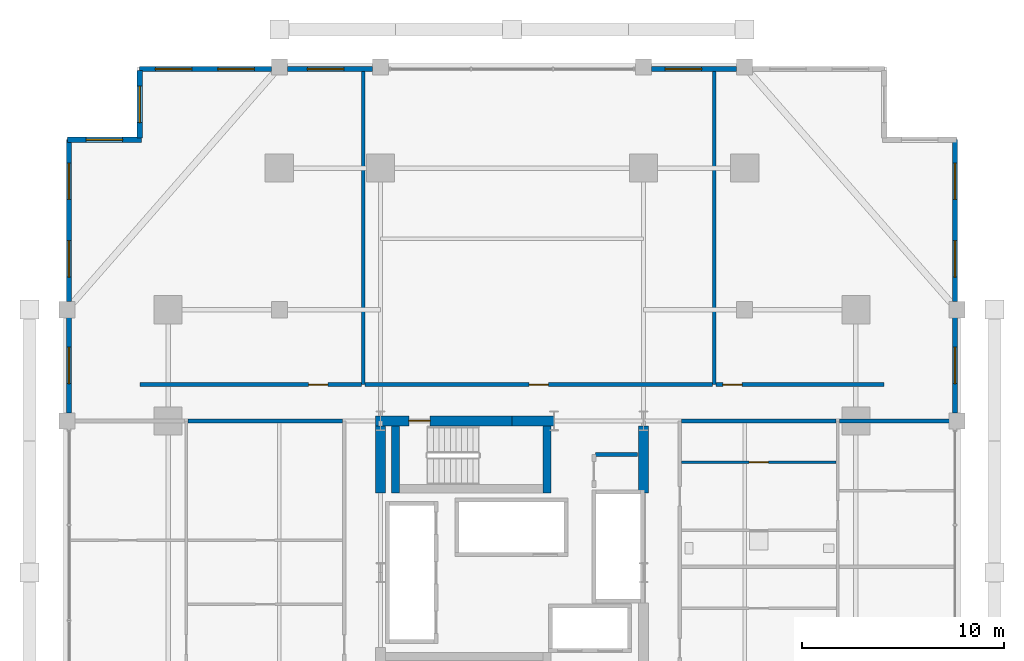
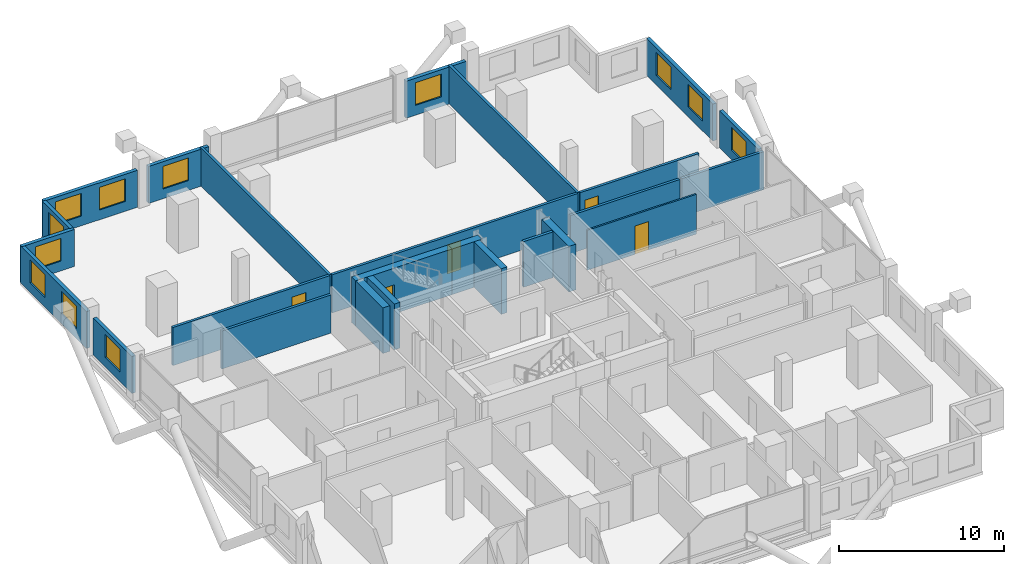
# One storey, part 20 of 23: 25 walls, 12 windows, 5 doors, 17 openings.
"""IFC4 building model written with IfcOpenShell, lengths in metres."""

from ifc_helpers import new_model, si_unit, direction, frame, frame_2d, origin, place, context, subcontext, project, spatial, rectangle, extrude, material, layer, layer_set, type_object, element, fill, save


model = new_model("IFC4")

# Units and contexts
model_context = context("Model", 3, precision=1e-05, world=origin(), true_north=direction((0.0, 1.0)))
body_context = subcontext(model_context, "Body", "Model", "MODEL_VIEW")
ifc_project = project(units=[si_unit("LENGTHUNIT", "METRE"), si_unit("AREAUNIT", "SQUARE_METRE"), si_unit("VOLUMEUNIT", "CUBIC_METRE"), si_unit("PLANEANGLEUNIT", "RADIAN"), si_unit("MASSUNIT", "GRAM", prefix="KILO")], contexts=[model_context])

# Site, building, storey
site_placement = place(None, origin())
site = spatial("IfcSite", under=ifc_project, at=site_placement, CompositionType="ELEMENT")
building_placement = place(site_placement, origin())
building = spatial("IfcBuilding", under=site, at=building_placement, Name="Barlavira Tower and Art Museum", CompositionType="ELEMENT")
storey_placement = place(building_placement, frame((0.0, 0.0, 68.39990234375)))
storey = spatial("IfcBuildingStorey", under=building, at=storey_placement, Name="L16", CompositionType="ELEMENT", Elevation=68.39990234375)

# Wall, opening, door
ifc_material_1 = material(Name="Gypsum acoustic stud partition", Category="gypsum")
ifc_layer_1 = layer(ifc_material_1, 0.1201171875, Name="Gypsum acoustic stud partition")
ifc_layer_set_1 = layer_set([ifc_layer_1], Name="Gypsum acoustic stud partition")
wall_type_1 = type_object("IfcWallType", Name="Apartment Internal Acoustic Partition 120", PredefinedType="PARTITIONING", material=ifc_layer_set_1)
wall_1_placement = place(storey_placement, frame((8.3798828125, 5.449951171875, 0.0), z_axis=(0.0, 0.0, 1.0), x_axis=(1.0, 0.0, 0.0)))
wall_1 = element("IfcWall", 1, at=wall_1_placement, inside=storey, type_object=wall_type_1, Name="L16 Partition Wall 52", PredefinedType="PARTITIONING", context=body_context, shape_type="SweptSolid", body=[
    extrude(rectangle(XDim=7.64013671875, YDim=0.1201171875, at=frame_2d((3.820068359375, 0.0))), origin(), (0.0, 0.0, 1.0), 2.947998046875),
])
opening_1_placement = place(wall_1_placement, frame((3.344970703125, 0.0, 0.0)))
opening_1 = element("IfcOpeningElement", 2, at=opening_1_placement, cuts=wall_1, Name="Opening D-02", PredefinedType="OPENING", context=body_context, shape_type="SweptSolid", body=[
    extrude(rectangle(XDim=0.949951171875, YDim=2.10009765625, at=frame_2d((0.47509765625, 1.050048828125))), frame((0.0, 0.070068359375, 0.0), z_axis=(0.0, -1.0, 0.0), x_axis=(1.0, 0.0, 0.0)), (0.0, 0.0, 1.0), 0.14013671875),
])
ifc_material_2 = material(Name="Engineered coastal hardwood", Category="wood")
door_type_1 = type_object("IfcDoorType", Name="Living and Salon Glazed-Leaf Door 950x2100", OperationType="NOTDEFINED", PredefinedType="DOOR", material=ifc_material_2)
door_1_placement = place(opening_1_placement, origin())
door_1 = element("IfcDoor", 3, at=door_1_placement, inside=storey, type_object=door_type_1, Name="Apartment E2 Kitchen Door", OperationType="SINGLE_SWING_RIGHT", OverallHeight=2.10009765625, OverallWidth=0.949951171875, PredefinedType="DOOR", context=body_context, shape_type="SweptSolid", body=[
    extrude(rectangle(XDim=0.949951171875, YDim=2.10009765625, at=frame_2d((0.47509765625, 1.050048828125))), frame((0.0, 0.02490234375, 0.0), z_axis=(0.0, -1.0, 0.0), x_axis=(1.0, 0.0, 0.0)), (0.0, 0.0, 1.0), 0.050048828125),
])
fill(opening_1, door_1)

ifc_material_3 = material(Name="Concrete C60", Category="concrete")
ifc_layer_2 = layer(ifc_material_3, 0.5, Name="Concrete C60")
ifc_layer_set_2 = layer_set([ifc_layer_2], Name="Concrete C60")
wall_type_2 = type_object("IfcWallType", Name="Core Structural Shear Wall 500 Concrete C60", PredefinedType="SHEAR", material=ifc_layer_set_2)
wall_2_placement = place(storey_placement, frame((-6.75, 7.5, 0.0), z_axis=(0.0, 0.0, 1.0), x_axis=(1.0, 0.0, 0.0)))
wall_2 = element("IfcWall", 4, at=wall_2_placement, inside=storey, type_object=wall_type_2, Name="L16 Core Shear Wall CS-NW", PredefinedType="SHEAR", context=body_context, shape_type="SweptSolid", body=[
    extrude(rectangle(XDim=6.75, YDim=0.5, at=frame_2d((3.375, 0.0))), origin(), (0.0, 0.0, 1.0), 3.380126953125),
])
opening_2_placement = place(wall_2_placement, frame((1.64990234375, 0.0, 0.0)))
opening_2 = element("IfcOpeningElement", 5, at=opening_2_placement, cuts=wall_2, Name="Opening FD-90", PredefinedType="OPENING", context=body_context, shape_type="SweptSolid", body=[
    extrude(rectangle(XDim=1.050048828125, YDim=2.14990234375, at=frame_2d((0.52490234375, 1.074951171875))), frame((0.0, 0.260009765625, 0.0), z_axis=(0.0, -1.0, 0.0), x_axis=(1.0, 0.0, 0.0)), (0.0, 0.0, 1.0), 0.52001953125),
])
ifc_material_4 = material(Name="Brushed stainless steel", Category="steel")
door_type_2 = type_object("IfcDoorType", Name="Stair and Refuge Fire Door 1050x2150 FD90S", OperationType="NOTDEFINED", PredefinedType="DOOR", material=ifc_material_4)
door_2_placement = place(opening_2_placement, origin())
door_2 = element("IfcDoor", 6, at=door_2_placement, inside=storey, type_object=door_type_2, Name="L16 Stair ST-T2 Fire Door", OperationType="SINGLE_SWING_LEFT", OverallHeight=2.14990234375, OverallWidth=1.050048828125, PredefinedType="DOOR", context=body_context, shape_type="SweptSolid", body=[
    extrude(rectangle(XDim=1.050048828125, YDim=2.14990234375, at=frame_2d((0.52490234375, 1.074951171875))), frame((0.0, 0.02490234375, 0.0), z_axis=(0.0, -1.0, 0.0), x_axis=(1.0, 0.0, 0.0)), (0.0, 0.0, 1.0), 0.050048828125),
])
fill(opening_2, door_2)

# Walls
wall_3_placement = place(storey_placement, frame((0.0, 7.5, 0.0), z_axis=(0.0, 0.0, 1.0), x_axis=(1.0, 0.0, 0.0)))
element("IfcWall", 7, at=wall_3_placement, inside=storey, type_object=wall_type_2, Name="L16 Core Shear Wall CS-EN", PredefinedType="SHEAR", context=body_context, shape_type="SweptSolid", body=[
    extrude(rectangle(XDim=2.080078125, YDim=0.5, at=frame_2d((1.0400390625, 0.0))), origin(), (0.0, 0.0, 1.0), 3.380126953125),
])
for number, where, z_axis, x_axis, name in (
    (8, (-6.5, 3.949951171875, 0.0), (0.0, 0.0, 1.0), (0.0, 1.0, 0.0), "L16 Core Shear Wall CS-W2"),
    (9, (6.5, 3.949951171875, 0.0), (0.0, 0.0, 1.0), (0.0, 1.0, 0.0), "L16 Core Shear Wall CS-E2"),
):
    element("IfcWall", number, at=place(storey_placement, frame(where, z_axis=z_axis, x_axis=x_axis)), inside=storey, type_object=wall_type_2, Name=name, PredefinedType="SHEAR", context=body_context, shape_type="SweptSolid", body=[
        extrude(rectangle(XDim=3.300048828125, YDim=0.5, at=frame_2d((1.64990234375, 0.0))), origin(), (0.0, 0.0, 1.0), 3.380126953125),
    ])
ifc_material_5 = material(Name="Autoclaved aerated concrete masonry", Category="masonry")
ifc_layer_3 = layer(ifc_material_5, 0.199951171875, Name="Autoclaved aerated concrete masonry")
ifc_layer_set_3 = layer_set([ifc_layer_3], Name="Autoclaved aerated concrete masonry")
wall_type_3 = type_object("IfcWallType", Name="Fire Compartment and Shaft Wall 200", PredefinedType="SOLIDWALL", material=ifc_layer_set_3)
wall_4_placement = place(storey_placement, frame((4.1298828125, 5.85009765625, 0.0), z_axis=(0.0, 0.0, 1.0), x_axis=(1.0, 0.0, 0.0)))
element("IfcWall", 10, at=wall_4_placement, inside=storey, type_object=wall_type_3, Name="L16 Partition Wall 53", PredefinedType="SOLIDWALL", context=body_context, shape_type="SweptSolid", body=[
    extrude(rectangle(XDim=2.070068359375, YDim=0.199951171875, at=frame_2d((1.03515625, 0.0))), origin(), (0.0, 0.0, 1.0), 3.380126953125),
])
ifc_layer_4 = layer(ifc_material_1, 0.179931640625, Name="Gypsum acoustic stud partition")
ifc_layer_set_4 = layer_set([ifc_layer_4], Name="Gypsum acoustic stud partition")
wall_type_4 = type_object("IfcWallType", Name="Inter-Tenancy Party Partition Wall 180", PredefinedType="PARTITIONING", material=ifc_layer_set_4)
for number, where, z_axis, x_axis, name in (
    (11, (-7.35009765625, 9.300048828125, 0.0), (0.0, 0.0, 1.0), (0.0, 1.0, 0.0), "L16 Partition Wall 6"),
    (12, (10.0, 9.300048828125, 0.0), (0.0, 0.0, 1.0), (0.0, 1.0, 0.0), "L16 Partition Wall 15"),
):
    element("IfcWall", number, at=place(storey_placement, frame(where, z_axis=z_axis, x_axis=x_axis)), inside=storey, type_object=wall_type_4, Name=name, PredefinedType="PARTITIONING", context=body_context, shape_type="SweptSolid", body=[
        extrude(rectangle(XDim=15.599853515625, YDim=0.179931640625, at=frame_2d((7.7998046875, 0.0))), origin(), (0.0, 0.0, 1.0), 2.816162109375),
    ])
for number, where, z_axis, x_axis, name in (
    (13, (-16.02001953125, 7.5, 0.0), (0.0, 0.0, 1.0), (1.0, 0.0, 0.0), "L16 Partition Wall 55"),
    (14, (8.3798828125, 7.5, 0.0), (0.0, 0.0, 1.0), (1.0, 0.0, 0.0), "L16 Partition Wall 56"),
):
    element("IfcWall", number, at=place(storey_placement, frame(where, z_axis=z_axis, x_axis=x_axis)), inside=storey, type_object=wall_type_4, Name=name, PredefinedType="PARTITIONING", context=body_context, shape_type="SweptSolid", body=[
        extrude(rectangle(XDim=7.64013671875, YDim=0.179931640625, at=frame_2d((3.820068359375, 0.0))), origin(), (0.0, 0.0, 1.0), 2.816162109375),
    ])
wall_5_placement = place(storey_placement, frame((16.179931640625, 7.5, 0.0), z_axis=(0.0, 0.0, 1.0), x_axis=(1.0, 0.0, 0.0)))
element("IfcWall", 15, at=wall_5_placement, inside=storey, type_object=wall_type_4, Name="L16 Partition Wall 57", PredefinedType="PARTITIONING", context=body_context, shape_type="SweptSolid", body=[
    extrude(rectangle(XDim=5.719970703125, YDim=0.179931640625, at=frame_2d((2.85986328125, 0.0))), origin(), (0.0, 0.0, 1.0), 2.816162109375),
])

# Wall, opening, door
wall_6_placement = place(storey_placement, frame((-18.39990234375, 9.300048828125, 0.0), z_axis=(0.0, 0.0, 1.0), x_axis=(1.0, 0.0, 0.0)))
wall_6 = element("IfcWall", 16, at=wall_6_placement, inside=storey, type_object=wall_type_4, Name="L16 Partition Wall 58", PredefinedType="PARTITIONING", context=body_context, shape_type="SweptSolid", body=[
    extrude(rectangle(XDim=10.969970703125, YDim=0.179931640625, at=frame_2d((5.48486328125, 0.0))), origin(), (0.0, 0.0, 1.0), 2.816162109375),
])
opening_3_placement = place(wall_6_placement, frame((8.344970703125, 0.0, 0.0)))
opening_3 = element("IfcOpeningElement", 17, at=opening_3_placement, cuts=wall_6, Name="Opening FD-60", PredefinedType="OPENING", context=body_context, shape_type="SweptSolid", body=[
    extrude(rectangle(XDim=0.949951171875, YDim=2.14990234375, at=frame_2d((0.47509765625, 1.074951171875))), frame((0.0, 0.10009765625, 0.0), z_axis=(0.0, -1.0, 0.0), x_axis=(1.0, 0.0, 0.0)), (0.0, 0.0, 1.0), 0.199951171875),
])
door_type_3 = type_object("IfcDoorType", Name="Apartment Entrance and Riser Fire Door 950x2150 FD60S", OperationType="NOTDEFINED", PredefinedType="DOOR", material=ifc_material_4)
door_3_placement = place(opening_3_placement, origin())
door_3 = element("IfcDoor", 18, at=door_3_placement, inside=storey, type_object=door_type_3, Name="Resident Rare-Book Reading Room Door", OperationType="SINGLE_SWING_RIGHT", OverallHeight=2.14990234375, OverallWidth=0.949951171875, PredefinedType="DOOR", context=body_context, shape_type="SweptSolid", body=[
    extrude(rectangle(XDim=0.949951171875, YDim=2.14990234375, at=frame_2d((0.47509765625, 1.074951171875))), frame((0.0, 0.02490234375, 0.0), z_axis=(0.0, -1.0, 0.0), x_axis=(1.0, 0.0, 0.0)), (0.0, 0.0, 1.0), 0.050048828125),
])
fill(opening_3, door_3)

wall_7_placement = place(storey_placement, frame((-7.27001953125, 9.300048828125, 0.0), z_axis=(0.0, 0.0, 1.0), x_axis=(1.0, 0.0, 0.0)))
wall_7 = element("IfcWall", 19, at=wall_7_placement, inside=storey, type_object=wall_type_4, Name="L16 Partition Wall 59", PredefinedType="PARTITIONING", context=body_context, shape_type="SweptSolid", body=[
    extrude(rectangle(XDim=17.18994140625, YDim=0.179931640625, at=frame_2d((8.594970703125, 0.0))), origin(), (0.0, 0.0, 1.0), 2.816162109375),
])
opening_4_placement = place(wall_7_placement, frame((8.114990234375, 0.0, 0.0)))
opening_4 = element("IfcOpeningElement", 20, at=opening_4_placement, cuts=wall_7, Name="Opening FD-60", PredefinedType="OPENING", context=body_context, shape_type="SweptSolid", body=[
    extrude(rectangle(XDim=0.949951171875, YDim=2.14990234375, at=frame_2d((0.47509765625, 1.074951171875))), frame((0.0, 0.10009765625, 0.0), z_axis=(0.0, -1.0, 0.0), x_axis=(1.0, 0.0, 0.0)), (0.0, 0.0, 1.0), 0.199951171875),
])
door_4_placement = place(opening_4_placement, origin())
door_4 = element("IfcDoor", 21, at=door_4_placement, inside=storey, type_object=door_type_3, Name="Private Coastal Dining Salon Door", OperationType="SINGLE_SWING_LEFT", OverallHeight=2.14990234375, OverallWidth=0.949951171875, PredefinedType="DOOR", context=body_context, shape_type="SweptSolid", body=[
    extrude(rectangle(XDim=0.949951171875, YDim=2.14990234375, at=frame_2d((0.47509765625, 1.074951171875))), frame((0.0, 0.02490234375, 0.0), z_axis=(0.0, -1.0, 0.0), x_axis=(1.0, 0.0, 0.0)), (0.0, 0.0, 1.0), 0.050048828125),
])
fill(opening_4, door_4)

wall_8_placement = place(storey_placement, frame((10.080078125, 9.300048828125, 0.0), z_axis=(0.0, 0.0, 1.0), x_axis=(1.0, 0.0, 0.0)))
wall_8 = element("IfcWall", 22, at=wall_8_placement, inside=storey, type_object=wall_type_4, Name="L16 Partition Wall 60", PredefinedType="PARTITIONING", context=body_context, shape_type="SweptSolid", body=[
    extrude(rectangle(XDim=8.31982421875, YDim=0.179931640625, at=frame_2d((4.159912109375, 0.0))), origin(), (0.0, 0.0, 1.0), 2.816162109375),
])
opening_5_placement = place(wall_8_placement, frame((0.344970703125, 0.0, 0.0)))
opening_5 = element("IfcOpeningElement", 23, at=opening_5_placement, cuts=wall_8, Name="Opening FD-60", PredefinedType="OPENING", context=body_context, shape_type="SweptSolid", body=[
    extrude(rectangle(XDim=0.949951171875, YDim=2.14990234375, at=frame_2d((0.47509765625, 1.074951171875))), frame((0.0, 0.10009765625, 0.0), z_axis=(0.0, -1.0, 0.0), x_axis=(1.0, 0.0, 0.0)), (0.0, 0.0, 1.0), 0.199951171875),
])
door_5_placement = place(opening_5_placement, origin())
door_5 = element("IfcDoor", 24, at=door_5_placement, inside=storey, type_object=door_type_3, Name="Shared Catering Kitchen Door", OperationType="SINGLE_SWING_RIGHT", OverallHeight=2.14990234375, OverallWidth=0.949951171875, PredefinedType="DOOR", context=body_context, shape_type="SweptSolid", body=[
    extrude(rectangle(XDim=0.949951171875, YDim=2.14990234375, at=frame_2d((0.47509765625, 1.074951171875))), frame((0.0, 0.02490234375, 0.0), z_axis=(0.0, -1.0, 0.0), x_axis=(1.0, 0.0, 0.0)), (0.0, 0.0, 1.0), 0.050048828125),
])
fill(opening_5, door_5)

# Wall, opening, window
ifc_material_6 = material(Name="Precast concrete C40", Category="concrete")
ifc_layer_5 = layer(ifc_material_6, 0.25, Name="Precast concrete C40")
ifc_layer_set_5 = layer_set([ifc_layer_5], Name="Precast concrete C40")
wall_type_5 = type_object("IfcWallType", Name="Notched Corner Spandrel Wall 250 Precast Concrete C40", PredefinedType="SOLIDWALL", material=ifc_layer_set_5)
wall_9_placement = place(storey_placement, frame((11.10498046875, 24.89990234375, 0.0), z_axis=(0.0, 0.0, 1.0), x_axis=(-1.0, 0.0, 0.0)))
wall_9 = element("IfcWall", 25, at=wall_9_placement, inside=storey, type_object=wall_type_5, Name="L16 Coastal Facade Pier Wall CW1-L16-N-2", PredefinedType="SOLIDWALL", context=body_context, shape_type="SweptSolid", body=[
    extrude(rectangle(XDim=4.2099609375, YDim=0.25, at=frame_2d((2.10498046875, 0.0))), origin(), (0.0, 0.0, 1.0), 2.736083984375),
])
opening_6_placement = place(wall_9_placement, frame((1.735107421875, 0.0, 0.719970703125)))
opening_6 = element("IfcOpeningElement", 26, at=opening_6_placement, cuts=wall_9, Name="Opening WN-01", PredefinedType="OPENING", context=body_context, shape_type="SweptSolid", body=[
    extrude(rectangle(XDim=1.800048828125, YDim=1.679931640625, at=frame_2d((0.89990234375, 0.83984375))), frame((0.0, 0.135009765625, 0.0), z_axis=(0.0, -1.0, 0.0), x_axis=(1.0, 0.0, 0.0)), (0.0, 0.0, 1.0), 0.27001953125),
])
ifc_material_7 = material(Name="Low-iron coastal laminated glass", Category="glass")
window_type = type_object("IfcWindowType", Name="Recessed Notch Corner Punch Window 1800x1680", PartitioningType="SINGLE_PANEL", PredefinedType="WINDOW", material=ifc_material_7)
window_1_placement = place(opening_6_placement, origin())
window_1 = element("IfcWindow", 27, at=window_1_placement, inside=storey, type_object=window_type, Name="L16 Punched Facade Window EWP-CW1-L16-N-2-1", OverallHeight=1.679931640625, OverallWidth=1.800048828125, PartitioningType="SINGLE_PANEL", PredefinedType="WINDOW", context=body_context, shape_type="SweptSolid", body=[
    extrude(rectangle(XDim=1.800048828125, YDim=1.679931640625, at=frame_2d((0.89990234375, 0.83984375))), frame((0.0, 0.030029296875, 0.0), z_axis=(0.0, -1.0, 0.0), x_axis=(1.0, 0.0, 0.0)), (0.0, 0.0, 1.0), 0.06005859375),
])
fill(opening_6, window_1)

wall_10_placement = place(storey_placement, frame((-6.89501953125, 24.89990234375, 0.0), z_axis=(0.0, 0.0, 1.0), x_axis=(-1.0, 0.0, 0.0)))
wall_10 = element("IfcWall", 28, at=wall_10_placement, inside=storey, type_object=wall_type_5, Name="L16 Coastal Facade Pier Wall CW1-L16-N-4", PredefinedType="SOLIDWALL", context=body_context, shape_type="SweptSolid", body=[
    extrude(rectangle(XDim=4.2099609375, YDim=0.25, at=frame_2d((2.10498046875, 0.0))), origin(), (0.0, 0.0, 1.0), 2.736083984375),
])
opening_7_placement = place(wall_10_placement, frame((1.4150390625, 0.0, 0.719970703125)))
opening_7 = element("IfcOpeningElement", 29, at=opening_7_placement, cuts=wall_10, Name="Opening WN-01", PredefinedType="OPENING", context=body_context, shape_type="SweptSolid", body=[
    extrude(rectangle(XDim=1.800048828125, YDim=1.679931640625, at=frame_2d((0.89990234375, 0.83984375))), frame((0.0, 0.135009765625, 0.0), z_axis=(0.0, -1.0, 0.0), x_axis=(1.0, 0.0, 0.0)), (0.0, 0.0, 1.0), 0.27001953125),
])
window_2_placement = place(opening_7_placement, origin())
window_2 = element("IfcWindow", 30, at=window_2_placement, inside=storey, type_object=window_type, Name="L16 Punched Facade Window EWP-CW1-L16-N-4-1", OverallHeight=1.679931640625, OverallWidth=1.800048828125, PartitioningType="SINGLE_PANEL", PredefinedType="WINDOW", context=body_context, shape_type="SweptSolid", body=[
    extrude(rectangle(XDim=1.800048828125, YDim=1.679931640625, at=frame_2d((0.89990234375, 0.83984375))), frame((0.0, 0.030029296875, 0.0), z_axis=(0.0, -1.0, 0.0), x_axis=(1.0, 0.0, 0.0)), (0.0, 0.0, 1.0), 0.06005859375),
])
fill(opening_7, window_2)

# Wall, openings, windows
wall_11_placement = place(storey_placement, frame((-11.89501953125, 24.89990234375, 0.0), z_axis=(0.0, 0.0, 1.0), x_axis=(-1.0, 0.0, 0.0)))
wall_11 = element("IfcWall", 31, at=wall_11_placement, inside=storey, type_object=wall_type_5, Name="L16 Coastal Facade Pier Wall CW1-L16-N-5", PredefinedType="SOLIDWALL", context=body_context, shape_type="SweptSolid", body=[
    extrude(rectangle(XDim=6.530029296875, YDim=0.25, at=frame_2d((3.26513671875, 0.0))), origin(), (0.0, 0.0, 1.0), 2.736083984375),
])
opening_8_placement = place(wall_11_placement, frame((0.845947265625, 0.0, 0.719970703125)))
opening_8 = element("IfcOpeningElement", 32, at=opening_8_placement, cuts=wall_11, Name="Opening WN-01", PredefinedType="OPENING", context=body_context, shape_type="SweptSolid", body=[
    extrude(rectangle(XDim=1.800048828125, YDim=1.679931640625, at=frame_2d((0.89990234375, 0.83984375))), frame((0.0, 0.135009765625, 0.0), z_axis=(0.0, -1.0, 0.0), x_axis=(1.0, 0.0, 0.0)), (0.0, 0.0, 1.0), 0.27001953125),
])
opening_9_placement = place(wall_11_placement, frame((3.928955078125, 0.0, 0.719970703125)))
opening_9 = element("IfcOpeningElement", 33, at=opening_9_placement, cuts=wall_11, Name="Opening WN-01", PredefinedType="OPENING", context=body_context, shape_type="SweptSolid", body=[
    extrude(rectangle(XDim=1.800048828125, YDim=1.679931640625, at=frame_2d((0.89990234375, 0.83984375))), frame((0.0, 0.135009765625, 0.0), z_axis=(0.0, -1.0, 0.0), x_axis=(1.0, 0.0, 0.0)), (0.0, 0.0, 1.0), 0.27001953125),
])
window_3_placement = place(opening_8_placement, origin())
window_3 = element("IfcWindow", 34, at=window_3_placement, inside=storey, type_object=window_type, Name="L16 Punched Facade Window EWP-CW1-L16-N-5-1", OverallHeight=1.679931640625, OverallWidth=1.800048828125, PartitioningType="SINGLE_PANEL", PredefinedType="WINDOW", context=body_context, shape_type="SweptSolid", body=[
    extrude(rectangle(XDim=1.800048828125, YDim=1.679931640625, at=frame_2d((0.89990234375, 0.83984375))), frame((0.0, 0.030029296875, 0.0), z_axis=(0.0, -1.0, 0.0), x_axis=(1.0, 0.0, 0.0)), (0.0, 0.0, 1.0), 0.06005859375),
])
fill(opening_8, window_3)
window_4_placement = place(opening_9_placement, origin())
window_4 = element("IfcWindow", 35, at=window_4_placement, inside=storey, type_object=window_type, Name="L16 Punched Facade Window EWP-CW1-L16-N-5-2", OverallHeight=1.679931640625, OverallWidth=1.800048828125, PartitioningType="SINGLE_PANEL", PredefinedType="WINDOW", context=body_context, shape_type="SweptSolid", body=[
    extrude(rectangle(XDim=1.800048828125, YDim=1.679931640625, at=frame_2d((0.89990234375, 0.83984375))), frame((0.0, 0.030029296875, 0.0), z_axis=(0.0, -1.0, 0.0), x_axis=(1.0, 0.0, 0.0)), (0.0, 0.0, 1.0), 0.06005859375),
])
fill(opening_9, window_4)

wall_12_placement = place(storey_placement, frame((-21.89990234375, 21.425048828125, 0.0), z_axis=(0.0, 0.0, 1.0), x_axis=(0.0, -1.0, 0.0)))
wall_12 = element("IfcWall", 36, at=wall_12_placement, inside=storey, type_object=wall_type_5, Name="L16 Coastal Facade Pier Wall CW1-L16-W-1", PredefinedType="SOLIDWALL", context=body_context, shape_type="SweptSolid", body=[
    extrude(rectangle(XDim=8.030029296875, YDim=0.25, at=frame_2d((4.01513671875, 0.0))), origin(), (0.0, 0.0, 1.0), 2.736083984375),
])
opening_10_placement = place(wall_12_placement, frame((1.176025390625, 0.0, 0.719970703125)))
opening_10 = element("IfcOpeningElement", 37, at=opening_10_placement, cuts=wall_12, Name="Opening WN-01", PredefinedType="OPENING", context=body_context, shape_type="SweptSolid", body=[
    extrude(rectangle(XDim=1.800048828125, YDim=1.679931640625, at=frame_2d((0.89990234375, 0.83984375))), frame((0.0, 0.135009765625, 0.0), z_axis=(0.0, -1.0, 0.0), x_axis=(1.0, 0.0, 0.0)), (0.0, 0.0, 1.0), 0.27001953125),
])
opening_11_placement = place(wall_12_placement, frame((5.009033203125, 0.0, 0.719970703125)))
opening_11 = element("IfcOpeningElement", 38, at=opening_11_placement, cuts=wall_12, Name="Opening WN-01", PredefinedType="OPENING", context=body_context, shape_type="SweptSolid", body=[
    extrude(rectangle(XDim=1.800048828125, YDim=1.679931640625, at=frame_2d((0.89990234375, 0.83984375))), frame((0.0, 0.135009765625, 0.0), z_axis=(0.0, -1.0, 0.0), x_axis=(1.0, 0.0, 0.0)), (0.0, 0.0, 1.0), 0.27001953125),
])
window_5_placement = place(opening_10_placement, origin())
window_5 = element("IfcWindow", 39, at=window_5_placement, inside=storey, type_object=window_type, Name="L16 Punched Facade Window EWP-CW1-L16-W-1-1", OverallHeight=1.679931640625, OverallWidth=1.800048828125, PartitioningType="SINGLE_PANEL", PredefinedType="WINDOW", context=body_context, shape_type="SweptSolid", body=[
    extrude(rectangle(XDim=1.800048828125, YDim=1.679931640625, at=frame_2d((0.89990234375, 0.83984375))), frame((0.0, 0.030029296875, 0.0), z_axis=(0.0, -1.0, 0.0), x_axis=(1.0, 0.0, 0.0)), (0.0, 0.0, 1.0), 0.06005859375),
])
fill(opening_10, window_5)
window_6_placement = place(opening_11_placement, origin())
window_6 = element("IfcWindow", 40, at=window_6_placement, inside=storey, type_object=window_type, Name="L16 Punched Facade Window EWP-CW1-L16-W-1-2", OverallHeight=1.679931640625, OverallWidth=1.800048828125, PartitioningType="SINGLE_PANEL", PredefinedType="WINDOW", context=body_context, shape_type="SweptSolid", body=[
    extrude(rectangle(XDim=1.800048828125, YDim=1.679931640625, at=frame_2d((0.89990234375, 0.83984375))), frame((0.0, 0.030029296875, 0.0), z_axis=(0.0, -1.0, 0.0), x_axis=(1.0, 0.0, 0.0)), (0.0, 0.0, 1.0), 0.06005859375),
])
fill(opening_11, window_6)

# Wall, opening, window
wall_13_placement = place(storey_placement, frame((-21.89990234375, 12.60498046875, 0.0), z_axis=(0.0, 0.0, 1.0), x_axis=(0.0, -1.0, 0.0)))
wall_13 = element("IfcWall", 41, at=wall_13_placement, inside=storey, type_object=wall_type_5, Name="L16 Coastal Facade Pier Wall CW1-L16-W-2", PredefinedType="SOLIDWALL", context=body_context, shape_type="SweptSolid", body=[
    extrude(rectangle(XDim=4.7099609375, YDim=0.25, at=frame_2d((2.35498046875, 0.0))), origin(), (0.0, 0.0, 1.0), 2.736083984375),
])
opening_12_placement = place(wall_13_placement, frame((1.455078125, 0.0, 0.719970703125)))
opening_12 = element("IfcOpeningElement", 42, at=opening_12_placement, cuts=wall_13, Name="Opening WN-01", PredefinedType="OPENING", context=body_context, shape_type="SweptSolid", body=[
    extrude(rectangle(XDim=1.800048828125, YDim=1.679931640625, at=frame_2d((0.89990234375, 0.83984375))), frame((0.0, 0.135009765625, 0.0), z_axis=(0.0, -1.0, 0.0), x_axis=(1.0, 0.0, 0.0)), (0.0, 0.0, 1.0), 0.27001953125),
])
window_7_placement = place(opening_12_placement, origin())
window_7 = element("IfcWindow", 43, at=window_7_placement, inside=storey, type_object=window_type, Name="L16 Punched Facade Window EWP-CW1-L16-W-2-1", OverallHeight=1.679931640625, OverallWidth=1.800048828125, PartitioningType="SINGLE_PANEL", PredefinedType="WINDOW", context=body_context, shape_type="SweptSolid", body=[
    extrude(rectangle(XDim=1.800048828125, YDim=1.679931640625, at=frame_2d((0.89990234375, 0.83984375))), frame((0.0, 0.030029296875, 0.0), z_axis=(0.0, -1.0, 0.0), x_axis=(1.0, 0.0, 0.0)), (0.0, 0.0, 1.0), 0.06005859375),
])
fill(opening_12, window_7)

wall_14_placement = place(storey_placement, frame((21.89990234375, 7.89501953125, 0.0), z_axis=(0.0, 0.0, 1.0), x_axis=(0.0, 1.0, 0.0)))
wall_14 = element("IfcWall", 44, at=wall_14_placement, inside=storey, type_object=wall_type_5, Name="L16 Coastal Facade Pier Wall CW1-L16-E-4", PredefinedType="SOLIDWALL", context=body_context, shape_type="SweptSolid", body=[
    extrude(rectangle(XDim=4.7099609375, YDim=0.25, at=frame_2d((2.35498046875, 0.0))), origin(), (0.0, 0.0, 1.0), 2.736083984375),
])
opening_13_placement = place(wall_14_placement, frame((1.455078125, 0.0, 0.719970703125)))
opening_13 = element("IfcOpeningElement", 45, at=opening_13_placement, cuts=wall_14, Name="Opening WN-01", PredefinedType="OPENING", context=body_context, shape_type="SweptSolid", body=[
    extrude(rectangle(XDim=1.800048828125, YDim=1.679931640625, at=frame_2d((0.89990234375, 0.83984375))), frame((0.0, 0.135009765625, 0.0), z_axis=(0.0, -1.0, 0.0), x_axis=(1.0, 0.0, 0.0)), (0.0, 0.0, 1.0), 0.27001953125),
])
window_8_placement = place(opening_13_placement, origin())
window_8 = element("IfcWindow", 46, at=window_8_placement, inside=storey, type_object=window_type, Name="L16 Punched Facade Window EWP-CW1-L16-E-4-1", OverallHeight=1.679931640625, OverallWidth=1.800048828125, PartitioningType="SINGLE_PANEL", PredefinedType="WINDOW", context=body_context, shape_type="SweptSolid", body=[
    extrude(rectangle(XDim=1.800048828125, YDim=1.679931640625, at=frame_2d((0.89990234375, 0.83984375))), frame((0.0, 0.030029296875, 0.0), z_axis=(0.0, -1.0, 0.0), x_axis=(1.0, 0.0, 0.0)), (0.0, 0.0, 1.0), 0.06005859375),
])
fill(opening_13, window_8)

# Wall, openings, windows
wall_15_placement = place(storey_placement, frame((21.89990234375, 13.39501953125, 0.0), z_axis=(0.0, 0.0, 1.0), x_axis=(0.0, 1.0, 0.0)))
wall_15 = element("IfcWall", 47, at=wall_15_placement, inside=storey, type_object=wall_type_5, Name="L16 Coastal Facade Pier Wall CW1-L16-E-5", PredefinedType="SOLIDWALL", context=body_context, shape_type="SweptSolid", body=[
    extrude(rectangle(XDim=8.030029296875, YDim=0.25, at=frame_2d((4.01513671875, 0.0))), origin(), (0.0, 0.0, 1.0), 2.736083984375),
])
opening_14_placement = place(wall_15_placement, frame((1.220947265625, 0.0, 0.719970703125)))
opening_14 = element("IfcOpeningElement", 48, at=opening_14_placement, cuts=wall_15, Name="Opening WN-01", PredefinedType="OPENING", context=body_context, shape_type="SweptSolid", body=[
    extrude(rectangle(XDim=1.800048828125, YDim=1.679931640625, at=frame_2d((0.89990234375, 0.83984375))), frame((0.0, 0.135009765625, 0.0), z_axis=(0.0, -1.0, 0.0), x_axis=(1.0, 0.0, 0.0)), (0.0, 0.0, 1.0), 0.27001953125),
])
opening_15_placement = place(wall_15_placement, frame((5.053955078125, 0.0, 0.719970703125)))
opening_15 = element("IfcOpeningElement", 49, at=opening_15_placement, cuts=wall_15, Name="Opening WN-01", PredefinedType="OPENING", context=body_context, shape_type="SweptSolid", body=[
    extrude(rectangle(XDim=1.800048828125, YDim=1.679931640625, at=frame_2d((0.89990234375, 0.83984375))), frame((0.0, 0.135009765625, 0.0), z_axis=(0.0, -1.0, 0.0), x_axis=(1.0, 0.0, 0.0)), (0.0, 0.0, 1.0), 0.27001953125),
])
window_9_placement = place(opening_14_placement, origin())
window_9 = element("IfcWindow", 50, at=window_9_placement, inside=storey, type_object=window_type, Name="L16 Punched Facade Window EWP-CW1-L16-E-5-1", OverallHeight=1.679931640625, OverallWidth=1.800048828125, PartitioningType="SINGLE_PANEL", PredefinedType="WINDOW", context=body_context, shape_type="SweptSolid", body=[
    extrude(rectangle(XDim=1.800048828125, YDim=1.679931640625, at=frame_2d((0.89990234375, 0.83984375))), frame((0.0, 0.030029296875, 0.0), z_axis=(0.0, -1.0, 0.0), x_axis=(1.0, 0.0, 0.0)), (0.0, 0.0, 1.0), 0.06005859375),
])
fill(opening_14, window_9)
window_10_placement = place(opening_15_placement, origin())
window_10 = element("IfcWindow", 51, at=window_10_placement, inside=storey, type_object=window_type, Name="L16 Punched Facade Window EWP-CW1-L16-E-5-2", OverallHeight=1.679931640625, OverallWidth=1.800048828125, PartitioningType="SINGLE_PANEL", PredefinedType="WINDOW", context=body_context, shape_type="SweptSolid", body=[
    extrude(rectangle(XDim=1.800048828125, YDim=1.679931640625, at=frame_2d((0.89990234375, 0.83984375))), frame((0.0, 0.030029296875, 0.0), z_axis=(0.0, -1.0, 0.0), x_axis=(1.0, 0.0, 0.0)), (0.0, 0.0, 1.0), 0.06005859375),
])
fill(opening_15, window_10)

# Wall, opening, window
wall_16_placement = place(storey_placement, frame((-18.39990234375, 24.820068359375, 0.0), z_axis=(0.0, 0.0, 1.0), x_axis=(0.0, -1.0, 0.0)))
wall_16 = element("IfcWall", 52, at=wall_16_placement, inside=storey, type_object=wall_type_5, Name="L16 Notch Corner Wall NW1", PredefinedType="SOLIDWALL", context=body_context, shape_type="SweptSolid", body=[
    extrude(rectangle(XDim=3.340087890625, YDim=0.25, at=frame_2d((1.669921875, 0.0))), origin(), (0.0, 0.0, 1.0), 2.736083984375),
])
opening_16_placement = place(wall_16_placement, frame((0.77001953125, 0.0, 0.719970703125)))
opening_16 = element("IfcOpeningElement", 53, at=opening_16_placement, cuts=wall_16, Name="Opening WN-01", PredefinedType="OPENING", context=body_context, shape_type="SweptSolid", body=[
    extrude(rectangle(XDim=1.800048828125, YDim=1.679931640625, at=frame_2d((0.89990234375, 0.83984375))), frame((0.0, 0.135009765625, 0.0), z_axis=(0.0, -1.0, 0.0), x_axis=(1.0, 0.0, 0.0)), (0.0, 0.0, 1.0), 0.27001953125),
])
window_11_placement = place(opening_16_placement, origin())
window_11 = element("IfcWindow", 54, at=window_11_placement, inside=storey, type_object=window_type, Name="L16 Punched Facade Window EW-NTC-L16-NW1-1", OverallHeight=1.679931640625, OverallWidth=1.800048828125, PartitioningType="SINGLE_PANEL", PredefinedType="WINDOW", context=body_context, shape_type="SweptSolid", body=[
    extrude(rectangle(XDim=1.800048828125, YDim=1.679931640625, at=frame_2d((0.89990234375, 0.83984375))), frame((0.0, 0.030029296875, 0.0), z_axis=(0.0, -1.0, 0.0), x_axis=(1.0, 0.0, 0.0)), (0.0, 0.0, 1.0), 0.06005859375),
])
fill(opening_16, window_11)

wall_17_placement = place(storey_placement, frame((-18.320068359375, 21.39990234375, 0.0), z_axis=(0.0, 0.0, 1.0), x_axis=(-1.0, 0.0, 0.0)))
wall_17 = element("IfcWall", 55, at=wall_17_placement, inside=storey, type_object=wall_type_5, Name="L16 Notch Corner Wall NW2", PredefinedType="SOLIDWALL", context=body_context, shape_type="SweptSolid", body=[
    extrude(rectangle(XDim=3.659912109375, YDim=0.25, at=frame_2d((1.830078125, 0.0))), origin(), (0.0, 0.0, 1.0), 2.736083984375),
])
opening_17_placement = place(wall_17_placement, frame((0.929931640625, 0.0, 0.719970703125)))
opening_17 = element("IfcOpeningElement", 56, at=opening_17_placement, cuts=wall_17, Name="Opening WN-01", PredefinedType="OPENING", context=body_context, shape_type="SweptSolid", body=[
    extrude(rectangle(XDim=1.800048828125, YDim=1.679931640625, at=frame_2d((0.89990234375, 0.83984375))), frame((0.0, 0.135009765625, 0.0), z_axis=(0.0, -1.0, 0.0), x_axis=(1.0, 0.0, 0.0)), (0.0, 0.0, 1.0), 0.27001953125),
])
window_12_placement = place(opening_17_placement, origin())
window_12 = element("IfcWindow", 57, at=window_12_placement, inside=storey, type_object=window_type, Name="L16 Punched Facade Window EW-NTC-L16-NW2-1", OverallHeight=1.679931640625, OverallWidth=1.800048828125, PartitioningType="SINGLE_PANEL", PredefinedType="WINDOW", context=body_context, shape_type="SweptSolid", body=[
    extrude(rectangle(XDim=1.800048828125, YDim=1.679931640625, at=frame_2d((0.89990234375, 0.83984375))), frame((0.0, 0.030029296875, 0.0), z_axis=(0.0, -1.0, 0.0), x_axis=(1.0, 0.0, 0.0)), (0.0, 0.0, 1.0), 0.06005859375),
])
fill(opening_17, window_12)

# Walls
ifc_material_8 = material(Name="Concrete C55", Category="concrete")
ifc_layer_6 = layer(ifc_material_8, 0.39990234375, Name="Concrete C55")
ifc_layer_set_6 = layer_set([ifc_layer_6], Name="Concrete C55")
wall_type_6 = type_object("IfcWallType", Name="Upper Core Shear Wall 400 Concrete C55", PredefinedType="SHEAR", material=ifc_layer_set_6)
for number, where, z_axis, x_axis, name in (
    (58, (1.72998046875, 3.949951171875, 0.0), (0.0, 0.0, 1.0), (0.0, 1.0, 0.0), "L16 ST-T2 East Half-Landing Wall"),
    (59, (-5.75, 3.949951171875, 0.0), (0.0, 0.0, 1.0), (0.0, 1.0, 0.0), "L16 ST-T2 West Shaft Wall"),
):
    element("IfcWall", number, at=place(storey_placement, frame(where, z_axis=z_axis, x_axis=x_axis)), inside=storey, type_object=wall_type_6, Name=name, PredefinedType="SHEAR", context=body_context, shape_type="SweptSolid", body=[
        extrude(rectangle(XDim=3.300048828125, YDim=0.39990234375, at=frame_2d((1.64990234375, 0.0))), origin(), (0.0, 0.0, 1.0), 3.380126953125),
    ])

save(model, "model.ifc")
